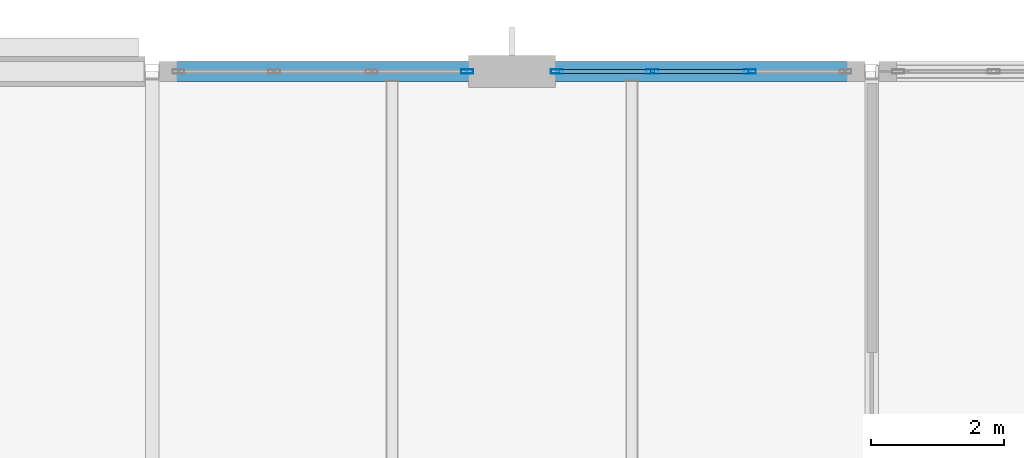
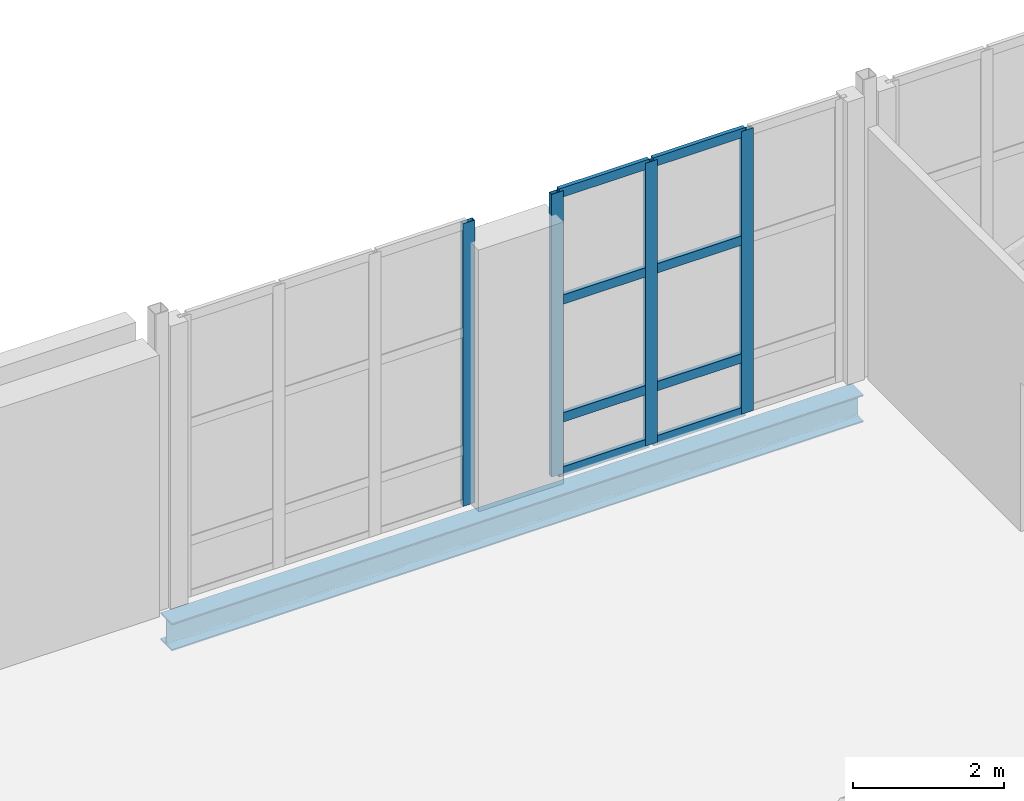
# One storey, part 51 of 86: 12 members, 1 beam, 2 elements without a shape of their own.
"""IFC4 building model written with IfcOpenShell, lengths in metres."""

import ifcopenshell
import ifcopenshell.guid

model = None  # the IFC model being written
_history = None  # IfcOwnerHistory: only IFC2X3 demands one
_inside = {}  # id of a spatial element -> (the spatial element, [elements in it])
_under = {}  # id of a project, library or spatial element -> (it, [spatial elements below it])
_declared = {}  # id of a project -> (the project, [libraries it declares])
_typed = {}  # id of a type object -> (the type object, [elements of that type])
_made_of = {}  # id of a material, layer set ... -> (it, [elements and type objects made of it])


def new_model(schema):
    """Start an empty IFC model of exactly this schema.

    Asked for "IFC4X3", IfcOpenShell would pick the latest addendum, in which some entities
    have other attributes; the version numbers below select the first issue.
    IFC2X3 requires an IfcOwnerHistory on every rooted entity: one is made here for all.
    """
    global model, _history
    if schema == "IFC4X3":
        model = ifcopenshell.file(schema_version=(4, 3, 0, 0))
    else:
        model = ifcopenshell.file(schema=schema)
    _inside.clear()
    _under.clear()
    _declared.clear()
    _typed.clear()
    _made_of.clear()
    _history = None
    if model.schema == "IFC2X3":
        org = make("IfcOrganization", Name="unknown")
        user = make(
            "IfcPersonAndOrganization",
            ThePerson=make("IfcPerson", FamilyName="unknown"),
            TheOrganization=org,
        )
        app = make(
            "IfcApplication",
            ApplicationDeveloper=org,
            Version="unknown",
            ApplicationFullName="unknown",
            ApplicationIdentifier="unknown",
        )
        _history = make(
            "IfcOwnerHistory",
            OwningUser=user,
            OwningApplication=app,
            ChangeAction="ADDED",
            CreationDate=0,
        )
    return model


def make(cls, **values):
    """One entity of the class cls with the attributes given. An attribute that is None is left unset."""
    return model.create_entity(
        cls, **{name: value for name, value in values.items() if value is not None}
    )


def rooted(cls, **values):
    """An entity with a GlobalId (a new one), such as an element, a storey or a relation."""
    return make(cls, GlobalId=ifcopenshell.guid.new(), OwnerHistory=_history, **values)


def si_unit(unit_type, name, prefix=None):
    """IfcSIUnit, for example si_unit("LENGTHUNIT", "METRE", prefix="MILLI")."""
    return make("IfcSIUnit", UnitType=unit_type, Prefix=prefix, Name=name)


def assignment(units):
    """IfcUnitAssignment: the units of a project."""
    return None if units is None else make("IfcUnitAssignment", Units=units)


def point(xyz):
    """IfcCartesianPoint."""
    return None if xyz is None else make("IfcCartesianPoint", Coordinates=xyz)


def direction(xyz):
    """IfcDirection."""
    return None if xyz is None else make("IfcDirection", DirectionRatios=xyz)


def frame(location, z_axis=None, x_axis=None):
    """IfcAxis2Placement3D, a coordinate frame: its origin and axes. An axis left out is left unset."""
    return make(
        "IfcAxis2Placement3D",
        Location=point(location),
        Axis=direction(z_axis),
        RefDirection=direction(x_axis),
    )


def frame_2d(location, x_axis=None):
    """IfcAxis2Placement2D, a coordinate frame in the plane: its origin and x axis."""
    return make(
        "IfcAxis2Placement2D", Location=point(location), RefDirection=direction(x_axis)
    )


def origin():
    """The frame at (0, 0, 0) with its axes left unset."""
    return frame((0.0, 0.0, 0.0))


def origin_2d():
    """The frame at (0, 0) in the plane with its x axis left unset."""
    return frame_2d((0.0, 0.0))


def place(relative_to, where):
    """IfcLocalPlacement: puts the frame where relative to a parent placement (None: the world)."""
    return make(
        "IfcLocalPlacement", PlacementRelTo=relative_to, RelativePlacement=where
    )


def context(
    kind, dimensions, precision=None, world=None, true_north=None, identifier=None
):
    """IfcGeometricRepresentationContext, for example the 3D "Model" context."""
    return make(
        "IfcGeometricRepresentationContext",
        ContextIdentifier=identifier,
        ContextType=kind,
        CoordinateSpaceDimension=dimensions,
        Precision=precision,
        WorldCoordinateSystem=world,
        TrueNorth=true_north,
    )


def subcontext(parent, identifier, kind, view, scale=None):
    """IfcGeometricRepresentationSubContext, for example "Body" below "Model"."""
    return make(
        "IfcGeometricRepresentationSubContext",
        ContextIdentifier=identifier,
        ContextType=kind,
        ParentContext=parent,
        TargetScale=scale,
        TargetView=view,
    )


def project(units=None, contexts=None):
    """IfcProject with its units and contexts."""
    return rooted(
        "IfcProject",
        Name="project",
        RepresentationContexts=contexts,
        UnitsInContext=assignment(units),
    )


def spatial(cls, under=None, at=None, **own):
    """A site, building, storey or space (cls), placed at a placement, below another one or the project."""
    s = rooted(cls, ObjectPlacement=at, **own)
    if under is not None:
        _under.setdefault(under.id(), (under, []))[1].append(s)
    return s


def profile(cls, at=None, kind="AREA", **sizes):
    """A parametric profile (cls). Its sizes go by their IFC names, for example OverallWidth=200.0."""
    return make(cls, ProfileType=kind, Position=at, **sizes)


def hollow_rectangle(**sizes):
    """IfcRectangleHollowProfileDef."""
    return profile("IfcRectangleHollowProfileDef", **sizes)


def i_section(**sizes):
    """IfcIShapeProfileDef."""
    return profile("IfcIShapeProfileDef", **sizes)


def extrude(swept, where, along, depth):
    """IfcExtrudedAreaSolid: the profile swept, set in the frame where, extruded along a direction by depth."""
    return make(
        "IfcExtrudedAreaSolid",
        SweptArea=swept,
        Position=where,
        ExtrudedDirection=direction(along),
        Depth=depth,
    )


def shape(context_of_items, identifier, shape_type, items):
    """IfcShapeRepresentation: the items that make up one representation, for example the "Body"."""
    return make(
        "IfcShapeRepresentation",
        ContextOfItems=context_of_items,
        RepresentationIdentifier=identifier,
        RepresentationType=shape_type,
        Items=items,
    )


def material(Name=None, Category=None):
    """IfcMaterial."""
    return make("IfcMaterial", Name=Name, Category=Category)


def layer(
    of_material, thickness, ventilated=None, Name=None, Category=None, Priority=None
):
    """IfcMaterialLayer: one layer of a wall or slab, of a material (None: an air gap)."""
    return make(
        "IfcMaterialLayer",
        Material=of_material,
        LayerThickness=thickness,
        IsVentilated=ventilated,
        Name=Name,
        Category=Category,
        Priority=Priority,
    )


def layer_set(layers, Name=None):
    """IfcMaterialLayerSet."""
    return make("IfcMaterialLayerSet", MaterialLayers=layers, LayerSetName=Name)


def material_profile(
    of_material, cross_section, Name=None, Category=None, Priority=None
):
    """IfcMaterialProfile: a cross section and its material."""
    return make(
        "IfcMaterialProfile",
        Name=Name,
        Material=of_material,
        Profile=cross_section,
        Priority=Priority,
        Category=Category,
    )


def profile_set(profiles, Name=None, composite=None):
    """IfcMaterialProfileSet."""
    return make(
        "IfcMaterialProfileSet",
        Name=Name,
        MaterialProfiles=profiles,
        CompositeProfile=composite,
    )


def made_of(thing, what):
    """Note that an element or type object is made of a material, layer set ...; save() writes the relation."""
    if what is not None:
        _made_of.setdefault(what.id(), (what, []))[1].append(thing)
    return thing


def type_object(cls, material=None, **own):
    """A type object (cls), such as IfcWallType, which elements share."""
    return made_of(rooted(cls, **own), material)


def element(
    cls,
    number,
    at=None,
    inside=None,
    cuts=None,
    type_object=None,
    material=None,
    context=None,
    identifier="Body",
    shape_type=None,
    held_by="IfcProductDefinitionShape",
    body=None,
    shapes=None,
    **own,
):
    """One element of the class cls, such as IfcWall. Its Tag is "e" and its number.

    at: its placement. inside: the storey or other place that contains it. cuts: it is an
    opening in that element (IfcRelVoidsElement). A single representation is given by context,
    identifier, shape_type and body (its items); several are given by shapes. held_by: the class
    of the entity that holds the representations. save() writes the other relations.
    """
    e = rooted(cls, Tag="e%d" % number, ObjectPlacement=at, **own)
    if body is not None:
        shapes = [shape(context, identifier, shape_type, body)]
    if shapes is not None:
        e.Representation = make(held_by, Representations=shapes)
    if inside is not None:
        _inside.setdefault(inside.id(), (inside, []))[1].append(e)
    if cuts is not None:
        rooted(
            "IfcRelVoidsElement", RelatingBuildingElement=cuts, RelatedOpeningElement=e
        )
    if type_object is not None:
        _typed.setdefault(type_object.id(), (type_object, []))[1].append(e)
    return made_of(e, material)


def aggregate(whole, parts):
    """IfcRelAggregates: a whole, such as a stair, and the parts it consists of."""
    return rooted("IfcRelAggregates", RelatingObject=whole, RelatedObjects=parts)


def save(model, path):
    """Write the relations noted so far, then the file.

    IfcRelAggregates (storeys below a building ...), IfcRelContainedInSpatialStructure (elements
    in a storey), IfcRelDefinesByType, IfcRelAssociatesMaterial and IfcRelDeclares: one each for
    every whole, place, type object, material and project.
    """
    for whole, parts in _under.values():
        aggregate(whole, parts)
    for where, things in _inside.values():
        rooted(
            "IfcRelContainedInSpatialStructure",
            RelatedElements=things,
            RelatingStructure=where,
        )
    for kind, things in _typed.values():
        rooted("IfcRelDefinesByType", RelatedObjects=things, RelatingType=kind)
    for what, things in _made_of.values():
        rooted("IfcRelAssociatesMaterial", RelatedObjects=things, RelatingMaterial=what)
    for by, libraries in _declared.values():
        rooted("IfcRelDeclares", RelatingContext=by, RelatedDefinitions=libraries)
    model.write(path)


model = new_model("IFC4")

# Units and contexts
model_context = context("Model", 3, precision=1e-05, world=origin(), true_north=direction((0.0, 1.0)))
body_context = subcontext(model_context, "Body", "Model", "MODEL_VIEW")
ifc_project = project(units=[si_unit("LENGTHUNIT", "METRE"), si_unit("AREAUNIT", "SQUARE_METRE"), si_unit("VOLUMEUNIT", "CUBIC_METRE"), si_unit("PLANEANGLEUNIT", "RADIAN"), si_unit("MASSUNIT", "GRAM", prefix="KILO")], contexts=[model_context])

# Site, building, storey
site_placement = place(None, origin())
site = spatial("IfcSite", under=ifc_project, at=site_placement, CompositionType="ELEMENT")
building_placement = place(site_placement, origin())
building = spatial("IfcBuilding", under=site, at=building_placement, Name="Tasgan Crest Museum", CompositionType="ELEMENT")
storey_placement = place(building_placement, frame((0.0, 0.0, 24.0)))
storey = spatial("IfcBuildingStorey", under=building, at=storey_placement, Name="L04", CompositionType="ELEMENT", Elevation=24.0)

# Beam
ifc_material_1 = material(Name="Steel S355J2", Category="steel")
ifc_material_profile_1 = material_profile(ifc_material_1, i_section(OverallWidth=0.300048828125, OverallDepth=0.43994140625, WebThickness=0.011474609375, FlangeThickness=0.02099609375, FilletRadius=0.027099609375, at=origin_2d()), Name="HEA 450")
ifc_profile_set_1 = profile_set([ifc_material_profile_1], Name="Steel S355J2")
beam_type = type_object("IfcBeamType", Name="BM-G-HEA450", PredefinedType="BEAM", material=ifc_profile_set_1)
beam_placement = place(storey_placement, frame((54.1259765625, 112.0, -0.4599609375), z_axis=(1.0, 0.0, 0.0), x_axis=(0.0, 1.0, 0.0)))
element("IfcBeam", 1, at=beam_placement, inside=storey, type_object=beam_type, Name="Girder L04 M 54.0-64.8", PredefinedType="BEAM", context=body_context, shape_type="SweptSolid", body=[
    extrude(i_section(OverallWidth=0.300048828125, OverallDepth=0.43994140625, WebThickness=0.011474609375, FlangeThickness=0.02099609375, FilletRadius=0.027099609375, at=origin_2d()), origin(), (0.0, 0.0, 1.0), 10.548095703125),
])

# Curtain wall, members
ifc_material_2 = material(Name="Triple-Glazed Aluminium Curtain Wall", Category="aluminium")
ifc_layer = layer(ifc_material_2, 0.179931640625, Name="CW-CORE-STRIP-48")
ifc_layer_set = layer_set([ifc_layer], Name="Triple-Glazed Aluminium Curtain Wall")
curtain_wall_type = type_object("IfcCurtainWallType", Name="CW-CORE-STRIP-48", PredefinedType="NOTDEFINED", material=ifc_layer_set)
curtain_wall_1_placement = place(storey_placement, origin())
curtain_wall_1 = element("IfcCurtainWall", 2, at=curtain_wall_1_placement, inside=storey, type_object=curtain_wall_type, Name="Curtain wall L04 163", PredefinedType="NOTDEFINED")
ifc_material_3 = material(Name="Anodised Aluminium", Category="aluminium")
ifc_material_profile_2 = material_profile(ifc_material_3, hollow_rectangle(XDim=0.06494140625, YDim=0.179931640625, WallThickness=0.0048828125, at=origin_2d()), Name="ALU MULLION 180x65x5")
ifc_profile_set_2 = profile_set([ifc_material_profile_2], Name="Anodised Aluminium")
member_type_1 = type_object("IfcMemberType", Name="CW-MULLION-180", PredefinedType="MULLION", material=ifc_profile_set_2)
member_1_placement = place(storey_placement, frame((62.9716796875, 112.0, 0.0), z_axis=(0.0, 0.0, 1.0), x_axis=(0.0, -1.0, 0.0)))
member_1 = element("IfcMember", 3, at=member_1_placement, type_object=member_type_1, Name="CW19 mullion 2", PredefinedType="MULLION", context=body_context, shape_type="SweptSolid", body=[
    extrude(hollow_rectangle(XDim=0.06494140625, YDim=0.179931640625, WallThickness=0.0048828125, at=origin_2d()), origin(), (0.0, 0.0, 1.0), 4.56005859375),
])
member_2_placement = place(storey_placement, frame((61.50830078125, 112.0, 0.0), z_axis=(0.0, 0.0, 1.0), x_axis=(0.0, -1.0, 0.0)))
member_2 = element("IfcMember", 4, at=member_2_placement, type_object=member_type_1, Name="CW19 mullion 3", PredefinedType="MULLION", context=body_context, shape_type="SweptSolid", body=[
    extrude(hollow_rectangle(XDim=0.06494140625, YDim=0.179931640625, WallThickness=0.0048828125, at=origin_2d()), origin(), (0.0, 0.0, 1.0), 4.56005859375),
])
member_3_placement = place(storey_placement, frame((60.074951171875, 112.0, 0.0), z_axis=(0.0, 0.0, 1.0), x_axis=(0.0, -1.0, 0.0)))
member_3 = element("IfcMember", 5, at=member_3_placement, type_object=member_type_1, Name="CW19 mullion 4", PredefinedType="MULLION", context=body_context, shape_type="SweptSolid", body=[
    extrude(hollow_rectangle(XDim=0.06494140625, YDim=0.179931640625, WallThickness=0.0048828125, at=origin_2d()), origin(), (0.0, 0.0, 1.0), 4.56005859375),
])

# Curtain wall, member
curtain_wall_2_placement = place(storey_placement, origin())
curtain_wall_2 = element("IfcCurtainWall", 6, at=curtain_wall_2_placement, inside=storey, type_object=curtain_wall_type, Name="Curtain wall L04 164", PredefinedType="NOTDEFINED")
member_4_placement = place(storey_placement, frame((58.72509765625, 112.0, 0.0), z_axis=(0.0, 0.0, 1.0), x_axis=(0.0, -1.0, 0.0)))
member_4 = element("IfcMember", 7, at=member_4_placement, type_object=member_type_1, Name="CW19 mullion 1", PredefinedType="MULLION", context=body_context, shape_type="SweptSolid", body=[
    extrude(hollow_rectangle(XDim=0.06494140625, YDim=0.179931640625, WallThickness=0.0048828125, at=origin_2d()), origin(), (0.0, 0.0, 1.0), 4.56005859375),
])
aggregate(curtain_wall_2, [member_4])

# Member
ifc_material_4 = material(Name="Anodised Aluminium", Category="aluminium")
ifc_material_profile_3 = material_profile(ifc_material_4, hollow_rectangle(XDim=0.06005859375, YDim=0.14990234375, WallThickness=0.0048828125, at=origin_2d()), Name="ALU TRANSOM 150x60x5")
ifc_profile_set_3 = profile_set([ifc_material_profile_3], Name="Anodised Aluminium")
member_type_2 = type_object("IfcMemberType", Name="CW-TRANSOM-150", PredefinedType="USERDEFINED", material=ifc_profile_set_3)
member_5_placement = place(storey_placement, frame((62.941650390625, 112.0, 0.030029296875), z_axis=(-1.0, 0.0, 0.0), x_axis=(0.0, -1.0, 0.0)))
member_5 = element("IfcMember", 8, at=member_5_placement, type_object=member_type_2, Name="CW19 transom 2.1", ObjectType="TRANSOM", PredefinedType="USERDEFINED", context=body_context, shape_type="SweptSolid", body=[
    extrude(hollow_rectangle(XDim=0.06005859375, YDim=0.14990234375, WallThickness=0.0048828125, at=origin_2d()), origin(), (0.0, 0.0, 1.0), 1.4033203125),
])

member_6_placement = place(storey_placement, frame((62.941650390625, 112.0, 0.89990234375), z_axis=(-1.0, 0.0, 0.0), x_axis=(0.0, -1.0, 0.0)))
member_6 = element("IfcMember", 9, at=member_6_placement, type_object=member_type_2, Name="CW19 transom 2.2", ObjectType="TRANSOM", PredefinedType="USERDEFINED", context=body_context, shape_type="SweptSolid", body=[
    extrude(hollow_rectangle(XDim=0.06005859375, YDim=0.14990234375, WallThickness=0.0048828125, at=origin_2d()), origin(), (0.0, 0.0, 1.0), 1.4033203125),
])

member_7_placement = place(storey_placement, frame((62.941650390625, 112.0, 2.800048828125), z_axis=(-1.0, 0.0, 0.0), x_axis=(0.0, -1.0, 0.0)))
member_7 = element("IfcMember", 10, at=member_7_placement, type_object=member_type_2, Name="CW19 transom 2.3", ObjectType="TRANSOM", PredefinedType="USERDEFINED", context=body_context, shape_type="SweptSolid", body=[
    extrude(hollow_rectangle(XDim=0.06005859375, YDim=0.14990234375, WallThickness=0.0048828125, at=origin_2d()), origin(), (0.0, 0.0, 1.0), 1.4033203125),
])

member_8_placement = place(storey_placement, frame((62.941650390625, 112.0, 4.530029296875), z_axis=(-1.0, 0.0, 0.0), x_axis=(0.0, -1.0, 0.0)))
member_8 = element("IfcMember", 11, at=member_8_placement, type_object=member_type_2, Name="CW19 transom 2.4", ObjectType="TRANSOM", PredefinedType="USERDEFINED", context=body_context, shape_type="SweptSolid", body=[
    extrude(hollow_rectangle(XDim=0.06005859375, YDim=0.14990234375, WallThickness=0.0048828125, at=origin_2d()), origin(), (0.0, 0.0, 1.0), 1.4033203125),
])

member_9_placement = place(storey_placement, frame((61.478271484375, 112.0, 0.030029296875), z_axis=(-1.0, 0.0, 0.0), x_axis=(0.0, -1.0, 0.0)))
member_9 = element("IfcMember", 12, at=member_9_placement, type_object=member_type_2, Name="CW19 transom 3.1", ObjectType="TRANSOM", PredefinedType="USERDEFINED", context=body_context, shape_type="SweptSolid", body=[
    extrude(hollow_rectangle(XDim=0.06005859375, YDim=0.14990234375, WallThickness=0.0048828125, at=origin_2d()), origin(), (0.0, 0.0, 1.0), 1.373291015625),
])

member_10_placement = place(storey_placement, frame((61.478271484375, 112.0, 0.89990234375), z_axis=(-1.0, 0.0, 0.0), x_axis=(0.0, -1.0, 0.0)))
member_10 = element("IfcMember", 13, at=member_10_placement, type_object=member_type_2, Name="CW19 transom 3.2", ObjectType="TRANSOM", PredefinedType="USERDEFINED", context=body_context, shape_type="SweptSolid", body=[
    extrude(hollow_rectangle(XDim=0.06005859375, YDim=0.14990234375, WallThickness=0.0048828125, at=origin_2d()), origin(), (0.0, 0.0, 1.0), 1.373291015625),
])

member_11_placement = place(storey_placement, frame((61.478271484375, 112.0, 2.800048828125), z_axis=(-1.0, 0.0, 0.0), x_axis=(0.0, -1.0, 0.0)))
member_11 = element("IfcMember", 14, at=member_11_placement, type_object=member_type_2, Name="CW19 transom 3.3", ObjectType="TRANSOM", PredefinedType="USERDEFINED", context=body_context, shape_type="SweptSolid", body=[
    extrude(hollow_rectangle(XDim=0.06005859375, YDim=0.14990234375, WallThickness=0.0048828125, at=origin_2d()), origin(), (0.0, 0.0, 1.0), 1.373291015625),
])

member_12_placement = place(storey_placement, frame((61.478271484375, 112.0, 4.530029296875), z_axis=(-1.0, 0.0, 0.0), x_axis=(0.0, -1.0, 0.0)))
member_12 = element("IfcMember", 15, at=member_12_placement, type_object=member_type_2, Name="CW19 transom 3.4", ObjectType="TRANSOM", PredefinedType="USERDEFINED", context=body_context, shape_type="SweptSolid", body=[
    extrude(hollow_rectangle(XDim=0.06005859375, YDim=0.14990234375, WallThickness=0.0048828125, at=origin_2d()), origin(), (0.0, 0.0, 1.0), 1.373291015625),
])

aggregate(curtain_wall_1, [member_1, member_2, member_3, member_5, member_6, member_7, member_8, member_9, member_10, member_11, member_12])

save(model, "model.ifc")
